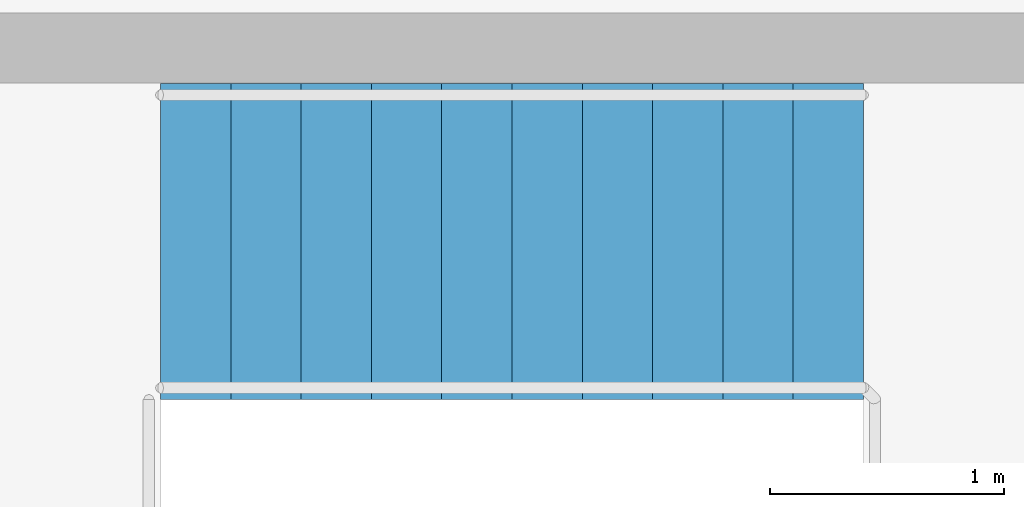
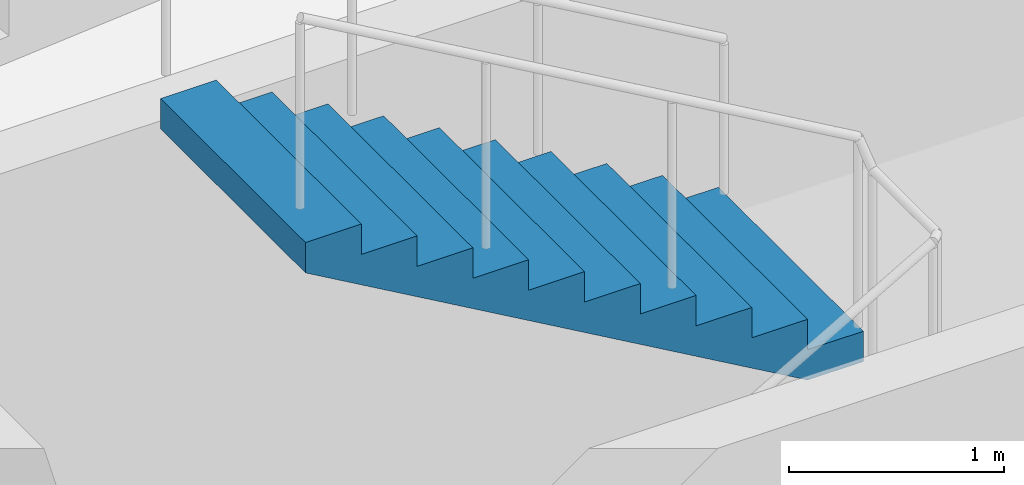
# One storey, part 8 of 10: 1 stair flight, 1 element without a shape of its own.
"""IFC4 building model written with IfcOpenShell, lengths in metres."""

from ifc_helpers import new_model, si_unit, direction, frame, origin, place, context, subcontext, project, spatial, polyline, outline, extrude, material, type_object, element, aggregate, save


model = new_model("IFC4")

# Units and contexts
model_context = context("Model", 3, precision=1e-05, world=origin(), true_north=direction((0.0, 1.0)))
body_context = subcontext(model_context, "Body", "Model", "MODEL_VIEW")
ifc_project = project(units=[si_unit("LENGTHUNIT", "METRE"), si_unit("AREAUNIT", "SQUARE_METRE"), si_unit("VOLUMEUNIT", "CUBIC_METRE"), si_unit("PLANEANGLEUNIT", "RADIAN"), si_unit("MASSUNIT", "GRAM", prefix="KILO")], contexts=[model_context])

# Site, building, storey
site_placement = place(None, origin())
site = spatial("IfcSite", under=ifc_project, at=site_placement, CompositionType="ELEMENT")
building_placement = place(site_placement, origin())
building = spatial("IfcBuilding", under=site, at=building_placement, Name="Brondeck Convention Tower", CompositionType="ELEMENT")
storey_placement = place(building_placement, frame((0.0, 0.0, 177.60009765625)))
storey = spatial("IfcBuildingStorey", under=building, at=storey_placement, Name="L43", CompositionType="ELEMENT", Elevation=177.60009765625)

# Stair, stair flight
ifc_material = material(Name="Precast concrete C50/60", Category="concrete")
stair_type = type_object("IfcStairType", Name="Core stair 22 risers 172.73 mm riser 300 mm going 1350 wide", PredefinedType="HALF_TURN_STAIR", material=ifc_material)
stair_placement = place(storey_placement, origin())
stair = element("IfcStair", 1, at=stair_placement, inside=storey, type_object=stair_type, Name="ST-AE L43 stair", PredefinedType="HALF_TURN_STAIR")
stair_flight_type = type_object("IfcStairFlightType", Name="Core stair flight 22 risers 172.73 mm riser 300 mm going 1350 wide", PredefinedType="STRAIGHT", material=ifc_material)
stair_flight_placement = place(storey_placement, frame((40.85009765625, 56.77490234375, 1.89990234375), z_axis=(0.0, 0.0, 1.0), x_axis=(-1.0, 0.0, 0.0)))
stair_flight = element("IfcStairFlight", 2, at=stair_flight_placement, type_object=stair_flight_type, Name="ST-AE flight 2", NumberOfRisers=11, NumberOfTreads=10, PredefinedType="STRAIGHT", RiserHeight=0.172727273, TreadLength=0.3, context=body_context, shape_type="SweptSolid", body=[
    extrude(outline(polyline([(0.0, 0.0), (0.0, 0.172607421875), (0.300048828125, 0.172607421875), (0.300048828125, 0.345458984375), (0.60009765625, 0.345458984375), (0.60009765625, 0.51806640625), (0.89990234375, 0.51806640625), (0.89990234375, 0.69091796875), (1.199951171875, 0.69091796875), (1.199951171875, 0.863525390625), (1.5, 0.863525390625), (1.5, 1.036376953125), (1.800048828125, 1.036376953125), (1.800048828125, 1.208984375), (2.10009765625, 1.208984375), (2.10009765625, 1.3818359375), (2.39990234375, 1.3818359375), (2.39990234375, 1.554443359375), (2.699951171875, 1.554443359375), (2.699951171875, 1.727294921875), (3.0, 1.727294921875), (3.0, 1.89990234375), (3.0, 1.55419921875), (0.300537109375, 0.0), (0.0, 0.0)])), frame((0.0, 0.675048828125, 0.0), z_axis=(0.0, -1.0, 0.0), x_axis=(1.0, 0.0, 0.0)), (0.0, 0.0, 1.0), 1.35009765625),
])
aggregate(stair, [stair_flight])

save(model, "model.ifc")
